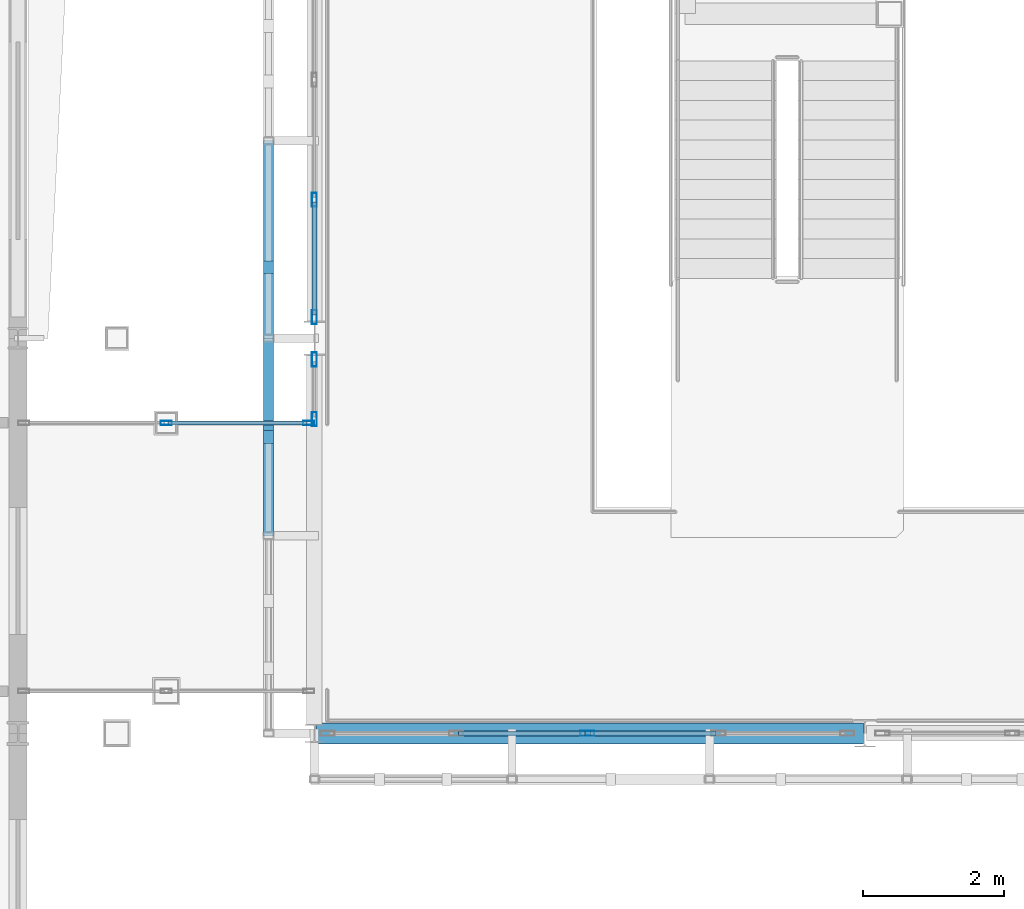
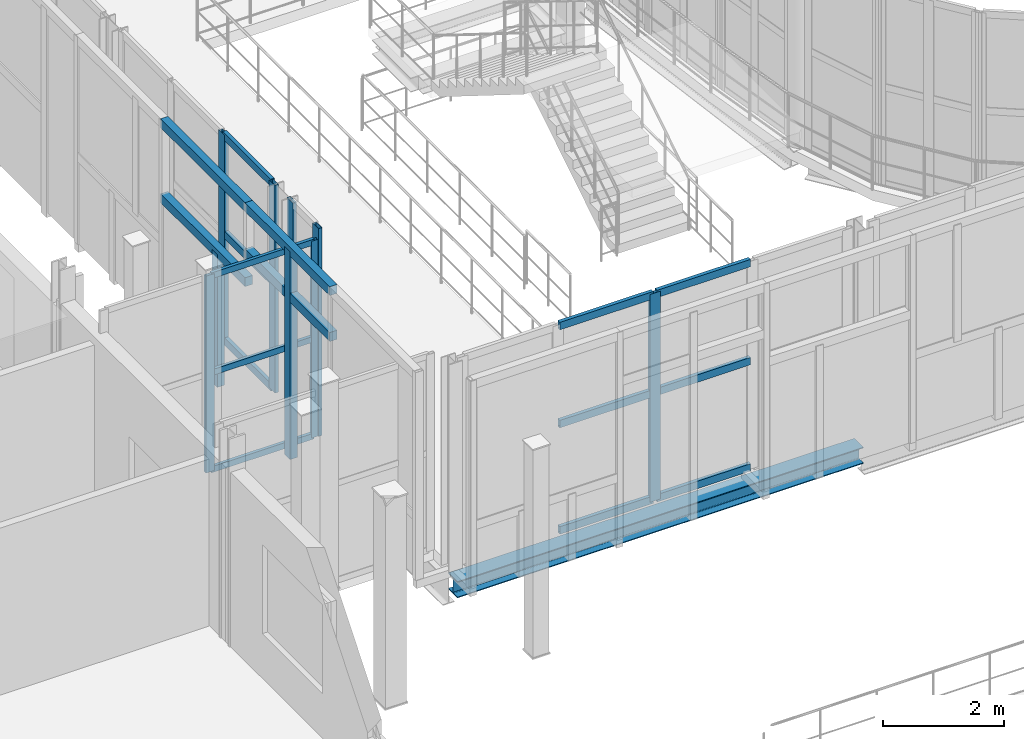
# One storey, part 27 of 138: 25 members, 1 beam, 4 elements without a shape of their own.
"""IFC4 building model written with IfcOpenShell, lengths in metres."""

import ifcopenshell
import ifcopenshell.guid

model = None  # the IFC model being written
_history = None  # IfcOwnerHistory: only IFC2X3 demands one
_inside = {}  # id of a spatial element -> (the spatial element, [elements in it])
_under = {}  # id of a project, library or spatial element -> (it, [spatial elements below it])
_declared = {}  # id of a project -> (the project, [libraries it declares])
_typed = {}  # id of a type object -> (the type object, [elements of that type])
_made_of = {}  # id of a material, layer set ... -> (it, [elements and type objects made of it])


def new_model(schema):
    """Start an empty IFC model of exactly this schema.

    Asked for "IFC4X3", IfcOpenShell would pick the latest addendum, in which some entities
    have other attributes; the version numbers below select the first issue.
    IFC2X3 requires an IfcOwnerHistory on every rooted entity: one is made here for all.
    """
    global model, _history
    if schema == "IFC4X3":
        model = ifcopenshell.file(schema_version=(4, 3, 0, 0))
    else:
        model = ifcopenshell.file(schema=schema)
    _inside.clear()
    _under.clear()
    _declared.clear()
    _typed.clear()
    _made_of.clear()
    _history = None
    if model.schema == "IFC2X3":
        org = make("IfcOrganization", Name="unknown")
        user = make(
            "IfcPersonAndOrganization",
            ThePerson=make("IfcPerson", FamilyName="unknown"),
            TheOrganization=org,
        )
        app = make(
            "IfcApplication",
            ApplicationDeveloper=org,
            Version="unknown",
            ApplicationFullName="unknown",
            ApplicationIdentifier="unknown",
        )
        _history = make(
            "IfcOwnerHistory",
            OwningUser=user,
            OwningApplication=app,
            ChangeAction="ADDED",
            CreationDate=0,
        )
    return model


def make(cls, **values):
    """One entity of the class cls with the attributes given. An attribute that is None is left unset."""
    return model.create_entity(
        cls, **{name: value for name, value in values.items() if value is not None}
    )


def rooted(cls, **values):
    """An entity with a GlobalId (a new one), such as an element, a storey or a relation."""
    return make(cls, GlobalId=ifcopenshell.guid.new(), OwnerHistory=_history, **values)


def si_unit(unit_type, name, prefix=None):
    """IfcSIUnit, for example si_unit("LENGTHUNIT", "METRE", prefix="MILLI")."""
    return make("IfcSIUnit", UnitType=unit_type, Prefix=prefix, Name=name)


def assignment(units):
    """IfcUnitAssignment: the units of a project."""
    return None if units is None else make("IfcUnitAssignment", Units=units)


def point(xyz):
    """IfcCartesianPoint."""
    return None if xyz is None else make("IfcCartesianPoint", Coordinates=xyz)


def direction(xyz):
    """IfcDirection."""
    return None if xyz is None else make("IfcDirection", DirectionRatios=xyz)


def frame(location, z_axis=None, x_axis=None):
    """IfcAxis2Placement3D, a coordinate frame: its origin and axes. An axis left out is left unset."""
    return make(
        "IfcAxis2Placement3D",
        Location=point(location),
        Axis=direction(z_axis),
        RefDirection=direction(x_axis),
    )


def frame_2d(location, x_axis=None):
    """IfcAxis2Placement2D, a coordinate frame in the plane: its origin and x axis."""
    return make(
        "IfcAxis2Placement2D", Location=point(location), RefDirection=direction(x_axis)
    )


def origin():
    """The frame at (0, 0, 0) with its axes left unset."""
    return frame((0.0, 0.0, 0.0))


def origin_2d():
    """The frame at (0, 0) in the plane with its x axis left unset."""
    return frame_2d((0.0, 0.0))


def place(relative_to, where):
    """IfcLocalPlacement: puts the frame where relative to a parent placement (None: the world)."""
    return make(
        "IfcLocalPlacement", PlacementRelTo=relative_to, RelativePlacement=where
    )


def context(
    kind, dimensions, precision=None, world=None, true_north=None, identifier=None
):
    """IfcGeometricRepresentationContext, for example the 3D "Model" context."""
    return make(
        "IfcGeometricRepresentationContext",
        ContextIdentifier=identifier,
        ContextType=kind,
        CoordinateSpaceDimension=dimensions,
        Precision=precision,
        WorldCoordinateSystem=world,
        TrueNorth=true_north,
    )


def subcontext(parent, identifier, kind, view, scale=None):
    """IfcGeometricRepresentationSubContext, for example "Body" below "Model"."""
    return make(
        "IfcGeometricRepresentationSubContext",
        ContextIdentifier=identifier,
        ContextType=kind,
        ParentContext=parent,
        TargetScale=scale,
        TargetView=view,
    )


def project(units=None, contexts=None):
    """IfcProject with its units and contexts."""
    return rooted(
        "IfcProject",
        Name="project",
        RepresentationContexts=contexts,
        UnitsInContext=assignment(units),
    )


def spatial(cls, under=None, at=None, **own):
    """A site, building, storey or space (cls), placed at a placement, below another one or the project."""
    s = rooted(cls, ObjectPlacement=at, **own)
    if under is not None:
        _under.setdefault(under.id(), (under, []))[1].append(s)
    return s


def profile(cls, at=None, kind="AREA", **sizes):
    """A parametric profile (cls). Its sizes go by their IFC names, for example OverallWidth=200.0."""
    return make(cls, ProfileType=kind, Position=at, **sizes)


def rectangle(**sizes):
    """IfcRectangleProfileDef."""
    return profile("IfcRectangleProfileDef", **sizes)


def hollow_rectangle(**sizes):
    """IfcRectangleHollowProfileDef."""
    return profile("IfcRectangleHollowProfileDef", **sizes)


def i_section(**sizes):
    """IfcIShapeProfileDef."""
    return profile("IfcIShapeProfileDef", **sizes)


def extrude(swept, where, along, depth):
    """IfcExtrudedAreaSolid: the profile swept, set in the frame where, extruded along a direction by depth."""
    return make(
        "IfcExtrudedAreaSolid",
        SweptArea=swept,
        Position=where,
        ExtrudedDirection=direction(along),
        Depth=depth,
    )


def shape(context_of_items, identifier, shape_type, items):
    """IfcShapeRepresentation: the items that make up one representation, for example the "Body"."""
    return make(
        "IfcShapeRepresentation",
        ContextOfItems=context_of_items,
        RepresentationIdentifier=identifier,
        RepresentationType=shape_type,
        Items=items,
    )


def material(Name=None, Category=None):
    """IfcMaterial."""
    return make("IfcMaterial", Name=Name, Category=Category)


def layer(
    of_material, thickness, ventilated=None, Name=None, Category=None, Priority=None
):
    """IfcMaterialLayer: one layer of a wall or slab, of a material (None: an air gap)."""
    return make(
        "IfcMaterialLayer",
        Material=of_material,
        LayerThickness=thickness,
        IsVentilated=ventilated,
        Name=Name,
        Category=Category,
        Priority=Priority,
    )


def layer_set(layers, Name=None):
    """IfcMaterialLayerSet."""
    return make("IfcMaterialLayerSet", MaterialLayers=layers, LayerSetName=Name)


def material_profile(
    of_material, cross_section, Name=None, Category=None, Priority=None
):
    """IfcMaterialProfile: a cross section and its material."""
    return make(
        "IfcMaterialProfile",
        Name=Name,
        Material=of_material,
        Profile=cross_section,
        Priority=Priority,
        Category=Category,
    )


def profile_set(profiles, Name=None, composite=None):
    """IfcMaterialProfileSet."""
    return make(
        "IfcMaterialProfileSet",
        Name=Name,
        MaterialProfiles=profiles,
        CompositeProfile=composite,
    )


def made_of(thing, what):
    """Note that an element or type object is made of a material, layer set ...; save() writes the relation."""
    if what is not None:
        _made_of.setdefault(what.id(), (what, []))[1].append(thing)
    return thing


def type_object(cls, material=None, **own):
    """A type object (cls), such as IfcWallType, which elements share."""
    return made_of(rooted(cls, **own), material)


def element(
    cls,
    number,
    at=None,
    inside=None,
    cuts=None,
    type_object=None,
    material=None,
    context=None,
    identifier="Body",
    shape_type=None,
    held_by="IfcProductDefinitionShape",
    body=None,
    shapes=None,
    **own,
):
    """One element of the class cls, such as IfcWall. Its Tag is "e" and its number.

    at: its placement. inside: the storey or other place that contains it. cuts: it is an
    opening in that element (IfcRelVoidsElement). A single representation is given by context,
    identifier, shape_type and body (its items); several are given by shapes. held_by: the class
    of the entity that holds the representations. save() writes the other relations.
    """
    e = rooted(cls, Tag="e%d" % number, ObjectPlacement=at, **own)
    if body is not None:
        shapes = [shape(context, identifier, shape_type, body)]
    if shapes is not None:
        e.Representation = make(held_by, Representations=shapes)
    if inside is not None:
        _inside.setdefault(inside.id(), (inside, []))[1].append(e)
    if cuts is not None:
        rooted(
            "IfcRelVoidsElement", RelatingBuildingElement=cuts, RelatedOpeningElement=e
        )
    if type_object is not None:
        _typed.setdefault(type_object.id(), (type_object, []))[1].append(e)
    return made_of(e, material)


def aggregate(whole, parts):
    """IfcRelAggregates: a whole, such as a stair, and the parts it consists of."""
    return rooted("IfcRelAggregates", RelatingObject=whole, RelatedObjects=parts)


def save(model, path):
    """Write the relations noted so far, then the file.

    IfcRelAggregates (storeys below a building ...), IfcRelContainedInSpatialStructure (elements
    in a storey), IfcRelDefinesByType, IfcRelAssociatesMaterial and IfcRelDeclares: one each for
    every whole, place, type object, material and project.
    """
    for whole, parts in _under.values():
        aggregate(whole, parts)
    for where, things in _inside.values():
        rooted(
            "IfcRelContainedInSpatialStructure",
            RelatedElements=things,
            RelatingStructure=where,
        )
    for kind, things in _typed.values():
        rooted("IfcRelDefinesByType", RelatedObjects=things, RelatingType=kind)
    for what, things in _made_of.values():
        rooted("IfcRelAssociatesMaterial", RelatedObjects=things, RelatingMaterial=what)
    for by, libraries in _declared.values():
        rooted("IfcRelDeclares", RelatingContext=by, RelatedDefinitions=libraries)
    model.write(path)


model = new_model("IFC4")

# Units and contexts
model_context = context("Model", 3, precision=1e-05, world=origin(), true_north=direction((0.0, 1.0)))
body_context = subcontext(model_context, "Body", "Model", "MODEL_VIEW")
ifc_project = project(units=[si_unit("LENGTHUNIT", "METRE"), si_unit("AREAUNIT", "SQUARE_METRE"), si_unit("VOLUMEUNIT", "CUBIC_METRE"), si_unit("PLANEANGLEUNIT", "RADIAN"), si_unit("MASSUNIT", "GRAM", prefix="KILO")], contexts=[model_context])

# Site, building, storey
site_placement = place(None, origin())
site = spatial("IfcSite", under=ifc_project, at=site_placement, CompositionType="ELEMENT")
building_placement = place(site_placement, origin())
building = spatial("IfcBuilding", under=site, at=building_placement, Name="Vinh Khe Railworks Police Headquarters", CompositionType="ELEMENT")
storey_placement = place(building_placement, frame((0.0, 0.0, 9.0)))
storey = spatial("IfcBuildingStorey", under=building, at=storey_placement, Name="L02", CompositionType="ELEMENT", Elevation=9.0)

# Members
ifc_material_1 = material(Name="Salvaged ironwood timber", Category="wood")
ifc_material_profile_1 = material_profile(ifc_material_1, rectangle(XDim=0.139892578125, YDim=0.179931640625, at=origin_2d()), Name="TIMBER 140x180")
ifc_profile_set_1 = profile_set([ifc_material_profile_1], Name="Salvaged ironwood timber")
member_type_1 = type_object("IfcMemberType", Name="MEM-QUILT-STILE", PredefinedType="CHORD", material=ifc_profile_set_1)
for number, where, z_axis, x_axis, name in (
    (1, (25.75, 28.0, 4.1201171875), (0.0, 1.0, 0.0), (-1.0, 0.0, 0.0), "Salvaged Timber Quilt Transom W-L02-01-TOP"),
    (2, (25.75, 28.0, 3.19189453125), (0.0, 1.0, 0.0), (-1.0, 0.0, 0.0), "Salvaged Timber Quilt Transom W-L02-01-M1"),
):
    element("IfcMember", number, at=place(storey_placement, frame(where, z_axis=z_axis, x_axis=x_axis)), inside=storey, type_object=member_type_1, Name=name, PredefinedType="CHORD", context=body_context, shape_type="SweptSolid", body=[
        extrude(rectangle(XDim=0.139892578125, YDim=0.179931640625, at=origin_2d()), origin(), (0.0, 0.0, 1.0), 2.800048828125),
    ])
member_1_placement = place(storey_placement, frame((25.75, 29.39990234375, -0.080078125), z_axis=(0.0, 0.0, 1.0), x_axis=(1.0, 0.0, 0.0)))
element("IfcMember", 3, at=member_1_placement, inside=storey, type_object=member_type_1, Name="Salvaged Timber Quilt Stile W-L02-01-V1", PredefinedType="POST", context=body_context, shape_type="SweptSolid", body=[
    extrude(rectangle(XDim=0.139892578125, YDim=0.179931640625, at=origin_2d()), origin(), (0.0, 0.0, 1.0), 4.2001953125),
])
for number, where, z_axis, x_axis, name in (
    (4, (25.75, 30.800048828125, 4.1201171875), (0.0, 1.0, 0.0), (-1.0, 0.0, 0.0), "Salvaged Timber Quilt Transom W-L02-02-TOP"),
    (5, (25.75, 30.800048828125, 2.60400390625), (0.0, 1.0, 0.0), (-1.0, 0.0, 0.0), "Salvaged Timber Quilt Transom W-L02-02-M1"),
):
    element("IfcMember", number, at=place(storey_placement, frame(where, z_axis=z_axis, x_axis=x_axis)), inside=storey, type_object=member_type_1, Name=name, PredefinedType="CHORD", context=body_context, shape_type="SweptSolid", body=[
        extrude(rectangle(XDim=0.139892578125, YDim=0.179931640625, at=origin_2d()), origin(), (0.0, 0.0, 1.0), 2.800048828125),
    ])
member_2_placement = place(storey_placement, frame((25.75, 31.80810546875, -0.080078125), z_axis=(0.0, 0.0, 1.0), x_axis=(1.0, 0.0, 0.0)))
element("IfcMember", 6, at=member_2_placement, inside=storey, type_object=member_type_1, Name="Salvaged Timber Quilt Stile W-L02-02-V1", PredefinedType="POST", context=body_context, shape_type="SweptSolid", body=[
    extrude(rectangle(XDim=0.139892578125, YDim=0.179931640625, at=origin_2d()), origin(), (0.0, 0.0, 1.0), 2.68408203125),
])

# Curtain wall, members
ifc_material_2 = material(Name="Anodised aluminium and solar-control glass", Category="aluminium")
ifc_layer_1 = layer(ifc_material_2, 0.159912109375)
ifc_layer_set_1 = layer_set([ifc_layer_1], Name="Anodised aluminium and solar-control glass")
curtain_wall_type_1 = type_object("IfcCurtainWallType", Name="CW-SHOPFRONT", PredefinedType="USERDEFINED", material=ifc_layer_set_1)
curtain_wall_1_placement = place(storey_placement, origin())
curtain_wall_1 = element("IfcCurtainWall", 7, at=curtain_wall_1_placement, inside=storey, type_object=curtain_wall_type_1, Name="Atrium Stair Link Glazing L02-N", ObjectType="UNITISED GLAZING", PredefinedType="USERDEFINED")
ifc_material_3 = material(Name="Anodised aluminium 6063-T6", Category="aluminium")
ifc_material_profile_2 = material_profile(ifc_material_3, hollow_rectangle(XDim=0.06005859375, YDim=0.159912109375, WallThickness=0.00390625, at=origin_2d()), Name="CW-M 60x160x4")
ifc_profile_set_2 = profile_set([ifc_material_profile_2], Name="Anodised aluminium 6063-T6")
member_type_2 = type_object("IfcMemberType", Name="MULL-CWM-01", PredefinedType="MULLION", material=ifc_profile_set_2)
member_3_placement = place(storey_placement, frame((24.300048828125, 29.60009765625, 0.0), z_axis=(0.0, 0.0, 1.0), x_axis=(0.0, 1.0, 0.0)))
member_3 = element("IfcMember", 8, at=member_3_placement, type_object=member_type_2, Name="CW-03 mullion 2", PredefinedType="MULLION", context=body_context, shape_type="SweptSolid", body=[
    extrude(hollow_rectangle(XDim=0.06005859375, YDim=0.159912109375, WallThickness=0.00390625, at=origin_2d()), origin(), (0.0, 0.0, 1.0), 3.97998046875),
])
member_4_placement = place(storey_placement, frame((26.320068359375, 29.60009765625, 0.0), z_axis=(0.0, 0.0, 1.0), x_axis=(0.0, 1.0, 0.0)))
member_4 = element("IfcMember", 9, at=member_4_placement, type_object=member_type_2, Name="CW-03 mullion 3", PredefinedType="MULLION", context=body_context, shape_type="SweptSolid", body=[
    extrude(hollow_rectangle(XDim=0.06005859375, YDim=0.159912109375, WallThickness=0.00390625, at=origin_2d()), origin(), (0.0, 0.0, 1.0), 3.97998046875),
])

# Curtain wall, member
ifc_material_4 = material(Name="Anodised aluminium and low-iron glass", Category="aluminium")
ifc_layer_2 = layer(ifc_material_4, 0.179931640625)
ifc_layer_set_2 = layer_set([ifc_layer_2], Name="Anodised aluminium and low-iron glass")
curtain_wall_type_2 = type_object("IfcCurtainWallType", Name="CW-CUBE-UNIT", PredefinedType="USERDEFINED", material=ifc_layer_set_2)
curtain_wall_2_placement = place(storey_placement, origin())
curtain_wall_2 = element("IfcCurtainWall", 10, at=curtain_wall_2_placement, inside=storey, type_object=curtain_wall_type_2, Name="Entrance Hall Curtain Wall L02 S-1", ObjectType="UNITISED GLAZING", PredefinedType="USERDEFINED")
ifc_material_profile_3 = material_profile(ifc_material_3, hollow_rectangle(XDim=0.070068359375, YDim=0.199951171875, WallThickness=0.0048828125, at=origin_2d()), Name="CW-M 70x200x5")
ifc_profile_set_3 = profile_set([ifc_material_profile_3], Name="Anodised aluminium 6063-T6")
member_type_3 = type_object("IfcMemberType", Name="MULL-CWM-03", PredefinedType="MULLION", material=ifc_profile_set_3)
member_5_placement = place(storey_placement, frame((30.267578125, 25.199951171875, 0.0), z_axis=(0.0, 0.0, 1.0), x_axis=(0.0, 1.0, 0.0)))
member_5 = element("IfcMember", 11, at=member_5_placement, type_object=member_type_3, Name="CW-01 mullion 3", PredefinedType="MULLION", context=body_context, shape_type="SweptSolid", body=[
    extrude(hollow_rectangle(XDim=0.070068359375, YDim=0.199951171875, WallThickness=0.0048828125, at=origin_2d()), origin(), (0.0, 0.0, 1.0), 4.199951171875),
])

# Curtain wall, members
curtain_wall_3_placement = place(storey_placement, origin())
curtain_wall_3 = element("IfcCurtainWall", 12, at=curtain_wall_3_placement, inside=storey, type_object=curtain_wall_type_2, Name="Entrance Hall Curtain Wall L02 W-1N", ObjectType="UNITISED GLAZING", PredefinedType="USERDEFINED")
member_6_placement = place(storey_placement, frame((26.39990234375, 29.655029296875, 0.0), z_axis=(0.0, 0.0, 1.0), x_axis=(-1.0, 0.0, 0.0)))
member_6 = element("IfcMember", 13, at=member_6_placement, type_object=member_type_3, Name="CW-01 mullion 1", PredefinedType="MULLION", context=body_context, shape_type="SweptSolid", body=[
    extrude(hollow_rectangle(XDim=0.070068359375, YDim=0.199951171875, WallThickness=0.0048828125, at=origin_2d()), origin(), (0.0, 0.0, 1.0), 4.199951171875),
])
member_7_placement = place(storey_placement, frame((26.39990234375, 30.5, 0.0), z_axis=(0.0, 0.0, 1.0), x_axis=(-1.0, 0.0, 0.0)))
member_7 = element("IfcMember", 14, at=member_7_placement, type_object=member_type_3, Name="CW-01 mullion 2", PredefinedType="MULLION", context=body_context, shape_type="SweptSolid", body=[
    extrude(hollow_rectangle(XDim=0.070068359375, YDim=0.199951171875, WallThickness=0.0048828125, at=origin_2d()), origin(), (0.0, 0.0, 1.0), 4.199951171875),
])
aggregate(curtain_wall_3, [member_6, member_7])

curtain_wall_4_placement = place(storey_placement, origin())
curtain_wall_4 = element("IfcCurtainWall", 15, at=curtain_wall_4_placement, inside=storey, type_object=curtain_wall_type_2, Name="Entrance Hall Curtain Wall L02 W-2", ObjectType="UNITISED GLAZING", PredefinedType="USERDEFINED")
member_8_placement = place(storey_placement, frame((26.39990234375, 31.10009765625, 0.0), z_axis=(0.0, 0.0, 1.0), x_axis=(-1.0, 0.0, 0.0)))
member_8 = element("IfcMember", 16, at=member_8_placement, type_object=member_type_3, Name="CW-01 mullion 1", PredefinedType="MULLION", context=body_context, shape_type="SweptSolid", body=[
    extrude(hollow_rectangle(XDim=0.070068359375, YDim=0.199951171875, WallThickness=0.0048828125, at=origin_2d()), origin(), (0.0, 0.0, 1.0), 4.199951171875),
])
member_9_placement = place(storey_placement, frame((26.39990234375, 32.763427734375, 0.0), z_axis=(0.0, 0.0, 1.0), x_axis=(-1.0, 0.0, 0.0)))
member_9 = element("IfcMember", 17, at=member_9_placement, type_object=member_type_3, Name="CW-01 mullion 2", PredefinedType="MULLION", context=body_context, shape_type="SweptSolid", body=[
    extrude(hollow_rectangle(XDim=0.070068359375, YDim=0.199951171875, WallThickness=0.0048828125, at=origin_2d()), origin(), (0.0, 0.0, 1.0), 4.199951171875),
])

# Beam
ifc_material_5 = material(Name="Steel S355JR", Category="steel")
ifc_material_profile_4 = material_profile(ifc_material_5, i_section(OverallWidth=0.300048828125, OverallDepth=0.330078125, WebThickness=0.009521484375, FlangeThickness=0.0166015625, FilletRadius=0.027099609375, at=origin_2d()), Name="HEA 340")
ifc_profile_set_4 = profile_set([ifc_material_profile_4], Name="Steel S355JR")
beam_type = type_object("IfcBeamType", Name="Steel Girder HEA 340", PredefinedType="BEAM", material=ifc_profile_set_4)
beam_placement = place(storey_placement, frame((26.419921875, 25.199951171875, -0.385009765625), z_axis=(1.0, 0.0, 0.0), x_axis=(0.0, 1.0, 0.0)))
element("IfcBeam", 18, at=beam_placement, inside=storey, type_object=beam_type, Name="Girder BM-L02-EW-SB-16-0764", PredefinedType="BEAM", context=body_context, shape_type="SweptSolid", body=[
    extrude(i_section(OverallWidth=0.300048828125, OverallDepth=0.330078125, WebThickness=0.009521484375, FlangeThickness=0.0166015625, FilletRadius=0.027099609375, at=origin_2d()), origin(), (0.0, 0.0, 1.0), 7.760009765625),
])

# Member
ifc_material_profile_5 = material_profile(ifc_material_3, hollow_rectangle(XDim=0.06005859375, YDim=0.1201171875, WallThickness=0.00390625, at=origin_2d()), Name="CW-T 60x120x4")
ifc_profile_set_5 = profile_set([ifc_material_profile_5], Name="Anodised aluminium 6063-T6")
member_type_4 = type_object("IfcMemberType", Name="TRAN-CWT-01", PredefinedType="USERDEFINED", material=ifc_profile_set_5)
member_10_placement = place(storey_placement, frame((24.330078125, 29.60009765625, 0.030029296875), z_axis=(1.0, 0.0, 0.0), x_axis=(0.0, 1.0, 0.0)))
member_10 = element("IfcMember", 19, at=member_10_placement, type_object=member_type_4, Name="CW-03 transom 2.1", ObjectType="TRANSOM", PredefinedType="USERDEFINED", context=body_context, shape_type="SweptSolid", body=[
    extrude(hollow_rectangle(XDim=0.06005859375, YDim=0.1201171875, WallThickness=0.00390625, at=origin_2d()), origin(), (0.0, 0.0, 1.0), 1.9599609375),
])

member_11_placement = place(storey_placement, frame((24.330078125, 29.60009765625, 1.989990234375), z_axis=(1.0, 0.0, 0.0), x_axis=(0.0, 1.0, 0.0)))
member_11 = element("IfcMember", 20, at=member_11_placement, type_object=member_type_4, Name="CW-03 transom 2.2", ObjectType="TRANSOM", PredefinedType="USERDEFINED", context=body_context, shape_type="SweptSolid", body=[
    extrude(hollow_rectangle(XDim=0.06005859375, YDim=0.1201171875, WallThickness=0.00390625, at=origin_2d()), origin(), (0.0, 0.0, 1.0), 1.9599609375),
])

member_12_placement = place(storey_placement, frame((24.330078125, 29.60009765625, 3.949951171875), z_axis=(1.0, 0.0, 0.0), x_axis=(0.0, 1.0, 0.0)))
member_12 = element("IfcMember", 21, at=member_12_placement, type_object=member_type_4, Name="CW-03 transom 2.3", ObjectType="TRANSOM", PredefinedType="USERDEFINED", context=body_context, shape_type="SweptSolid", body=[
    extrude(hollow_rectangle(XDim=0.06005859375, YDim=0.1201171875, WallThickness=0.00390625, at=origin_2d()), origin(), (0.0, 0.0, 1.0), 1.9599609375),
])

aggregate(curtain_wall_1, [member_3, member_4, member_10, member_11, member_12])

ifc_material_profile_6 = material_profile(ifc_material_3, hollow_rectangle(XDim=0.070068359375, YDim=0.14990234375, WallThickness=0.0048828125, at=origin_2d()), Name="CW-T 70x150x5")
ifc_profile_set_6 = profile_set([ifc_material_profile_6], Name="Anodised aluminium 6063-T6")
member_type_5 = type_object("IfcMemberType", Name="TRAN-CWT-03", PredefinedType="USERDEFINED", material=ifc_profile_set_6)
member_13_placement = place(storey_placement, frame((28.44384765625, 25.199951171875, 0.034912109375), z_axis=(1.0, 0.0, 0.0), x_axis=(0.0, 1.0, 0.0)))
member_13 = element("IfcMember", 22, at=member_13_placement, type_object=member_type_5, Name="CW-01 transom 2.1", ObjectType="TRANSOM", PredefinedType="USERDEFINED", context=body_context, shape_type="SweptSolid", body=[
    extrude(hollow_rectangle(XDim=0.070068359375, YDim=0.14990234375, WallThickness=0.0048828125, at=origin_2d()), origin(), (0.0, 0.0, 1.0), 1.78857421875),
])

member_14_placement = place(storey_placement, frame((28.44384765625, 25.199951171875, 2.18408203125), z_axis=(1.0, 0.0, 0.0), x_axis=(0.0, 1.0, 0.0)))
member_14 = element("IfcMember", 23, at=member_14_placement, type_object=member_type_5, Name="CW-01 transom 2.2", ObjectType="TRANSOM", PredefinedType="USERDEFINED", context=body_context, shape_type="SweptSolid", body=[
    extrude(hollow_rectangle(XDim=0.070068359375, YDim=0.14990234375, WallThickness=0.0048828125, at=origin_2d()), origin(), (0.0, 0.0, 1.0), 1.78857421875),
])

member_15_placement = place(storey_placement, frame((28.44384765625, 25.199951171875, 4.1650390625), z_axis=(1.0, 0.0, 0.0), x_axis=(0.0, 1.0, 0.0)))
member_15 = element("IfcMember", 24, at=member_15_placement, type_object=member_type_5, Name="CW-01 transom 2.3", ObjectType="TRANSOM", PredefinedType="USERDEFINED", context=body_context, shape_type="SweptSolid", body=[
    extrude(hollow_rectangle(XDim=0.070068359375, YDim=0.14990234375, WallThickness=0.0048828125, at=origin_2d()), origin(), (0.0, 0.0, 1.0), 1.78857421875),
])

member_16_placement = place(storey_placement, frame((30.302490234375, 25.199951171875, 0.034912109375), z_axis=(1.0, 0.0, 0.0), x_axis=(0.0, 1.0, 0.0)))
member_16 = element("IfcMember", 25, at=member_16_placement, type_object=member_type_5, Name="CW-01 transom 3.1", ObjectType="TRANSOM", PredefinedType="USERDEFINED", context=body_context, shape_type="SweptSolid", body=[
    extrude(hollow_rectangle(XDim=0.070068359375, YDim=0.14990234375, WallThickness=0.0048828125, at=origin_2d()), origin(), (0.0, 0.0, 1.0), 1.788818359375),
])

member_17_placement = place(storey_placement, frame((30.302490234375, 25.199951171875, 2.18408203125), z_axis=(1.0, 0.0, 0.0), x_axis=(0.0, 1.0, 0.0)))
member_17 = element("IfcMember", 26, at=member_17_placement, type_object=member_type_5, Name="CW-01 transom 3.2", ObjectType="TRANSOM", PredefinedType="USERDEFINED", context=body_context, shape_type="SweptSolid", body=[
    extrude(hollow_rectangle(XDim=0.070068359375, YDim=0.14990234375, WallThickness=0.0048828125, at=origin_2d()), origin(), (0.0, 0.0, 1.0), 1.788818359375),
])

member_18_placement = place(storey_placement, frame((30.302490234375, 25.199951171875, 4.1650390625), z_axis=(1.0, 0.0, 0.0), x_axis=(0.0, 1.0, 0.0)))
member_18 = element("IfcMember", 27, at=member_18_placement, type_object=member_type_5, Name="CW-01 transom 3.3", ObjectType="TRANSOM", PredefinedType="USERDEFINED", context=body_context, shape_type="SweptSolid", body=[
    extrude(hollow_rectangle(XDim=0.070068359375, YDim=0.14990234375, WallThickness=0.0048828125, at=origin_2d()), origin(), (0.0, 0.0, 1.0), 1.788818359375),
])

aggregate(curtain_wall_2, [member_5, member_13, member_14, member_15, member_16, member_17, member_18])

member_19_placement = place(storey_placement, frame((26.39990234375, 31.135009765625, 0.034912109375), z_axis=(0.0, 1.0, 0.0), x_axis=(-1.0, 0.0, 0.0)))
member_19 = element("IfcMember", 28, at=member_19_placement, type_object=member_type_5, Name="CW-01 transom 1.1", ObjectType="TRANSOM", PredefinedType="USERDEFINED", context=body_context, shape_type="SweptSolid", body=[
    extrude(hollow_rectangle(XDim=0.070068359375, YDim=0.14990234375, WallThickness=0.0048828125, at=origin_2d()), origin(), (0.0, 0.0, 1.0), 1.59326171875),
])

member_20_placement = place(storey_placement, frame((26.39990234375, 31.135009765625, 2.18408203125), z_axis=(0.0, 1.0, 0.0), x_axis=(-1.0, 0.0, 0.0)))
member_20 = element("IfcMember", 29, at=member_20_placement, type_object=member_type_5, Name="CW-01 transom 1.2", ObjectType="TRANSOM", PredefinedType="USERDEFINED", context=body_context, shape_type="SweptSolid", body=[
    extrude(hollow_rectangle(XDim=0.070068359375, YDim=0.14990234375, WallThickness=0.0048828125, at=origin_2d()), origin(), (0.0, 0.0, 1.0), 1.59326171875),
])

member_21_placement = place(storey_placement, frame((26.39990234375, 31.135009765625, 4.1650390625), z_axis=(0.0, 1.0, 0.0), x_axis=(-1.0, 0.0, 0.0)))
member_21 = element("IfcMember", 30, at=member_21_placement, type_object=member_type_5, Name="CW-01 transom 1.3", ObjectType="TRANSOM", PredefinedType="USERDEFINED", context=body_context, shape_type="SweptSolid", body=[
    extrude(hollow_rectangle(XDim=0.070068359375, YDim=0.14990234375, WallThickness=0.0048828125, at=origin_2d()), origin(), (0.0, 0.0, 1.0), 1.59326171875),
])

aggregate(curtain_wall_4, [member_8, member_9, member_19, member_20, member_21])

save(model, "model.ifc")
